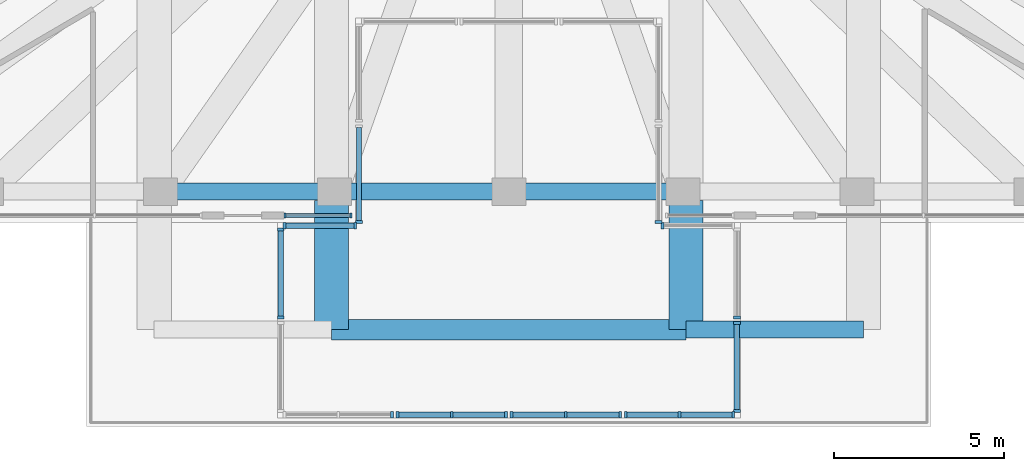
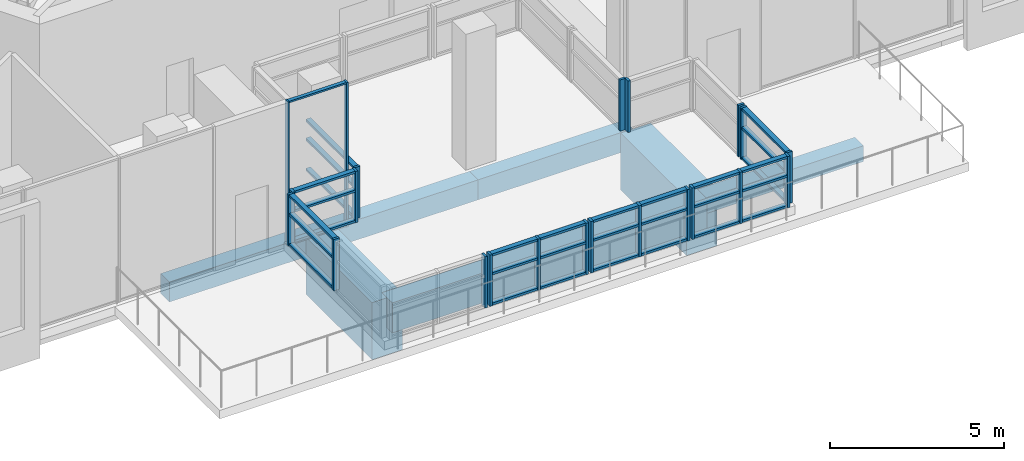
# One storey, part 3 of 17: 54 members, 7 beams, 12 elements without a shape of their own.
"""IFC4 building model written with IfcOpenShell, lengths in metres."""

from ifc_helpers import new_model, si_unit, direction, frame, origin, origin_2d, place, context, subcontext, project, spatial, rectangle, extrude, material, layer, layer_set, material_profile, profile_set, type_object, element, aggregate, save


model = new_model("IFC4")

# Units and contexts
model_context = context("Model", 3, precision=1e-05, world=origin(), true_north=direction((0.0, 1.0)))
body_context = subcontext(model_context, "Body", "Model", "MODEL_VIEW")
ifc_project = project(units=[si_unit("LENGTHUNIT", "METRE"), si_unit("AREAUNIT", "SQUARE_METRE"), si_unit("VOLUMEUNIT", "CUBIC_METRE"), si_unit("PLANEANGLEUNIT", "RADIAN"), si_unit("MASSUNIT", "GRAM", prefix="KILO")], contexts=[model_context])

# Site, building, storey
site_placement = place(None, origin())
site = spatial("IfcSite", under=ifc_project, at=site_placement, CompositionType="ELEMENT")
building_placement = place(site_placement, origin())
building = spatial("IfcBuilding", under=site, at=building_placement, Name="Triada Interchange Tower", CompositionType="ELEMENT")
storey_placement = place(building_placement, frame((0.0, 0.0, 322.300048828125)))
storey = spatial("IfcBuildingStorey", under=building, at=storey_placement, Name="L77", CompositionType="ELEMENT", Elevation=322.300048828125)

# Curtain wall, members
ifc_material_1 = material(Name="Aluminium framed glazing", Category="aluminium")
ifc_layer_1 = layer(ifc_material_1, 0.199951171875)
ifc_layer_set_1 = layer_set([ifc_layer_1], Name="Curtain wall Sky lobby glazing")
curtain_wall_type_1 = type_object("IfcCurtainWallType", Name="Curtain wall Sky lobby glazing", PredefinedType="NOTDEFINED", material=ifc_layer_set_1)
curtain_wall_1_placement = place(storey_placement, origin())
curtain_wall_1 = element("IfcCurtainWall", 1, at=curtain_wall_1_placement, inside=storey, type_object=curtain_wall_type_1, Name="Sky lobby glazing CW311 L77", PredefinedType="NOTDEFINED")
ifc_material_2 = material(Name="Aluminium", Category="aluminium")
ifc_material_profile_1 = material_profile(ifc_material_2, rectangle(XDim=0.159912109375, YDim=0.06005859375, at=origin_2d()), Name="Aluminium mullion")
ifc_profile_set_1 = profile_set([ifc_material_profile_1], Name="Aluminium")
member_type_1 = type_object("IfcMemberType", Name="Mullion Sky lobby glazing 160x60", PredefinedType="MULLION", material=ifc_profile_set_1)
member_1_placement = place(storey_placement, frame((-6.580078125, -15.300048828125, 0.0), z_axis=(0.0, 0.0, 1.0), x_axis=(0.0, 1.0, 0.0)))
member_1 = element("IfcMember", 2, at=member_1_placement, type_object=member_type_1, Name="CW311 mullion 1", PredefinedType="MULLION", context=body_context, shape_type="SweptSolid", body=[
    extrude(rectangle(XDim=0.159912109375, YDim=0.06005859375, at=origin_2d()), origin(), (0.0, 0.0, 1.0), 5.050048828125),
])
member_2_placement = place(storey_placement, frame((-4.6298828125, -15.300048828125, 0.0), z_axis=(0.0, 0.0, 1.0), x_axis=(0.0, 1.0, 0.0)))
member_2 = element("IfcMember", 3, at=member_2_placement, type_object=member_type_1, Name="CW311 mullion 2", PredefinedType="MULLION", context=body_context, shape_type="SweptSolid", body=[
    extrude(rectangle(XDim=0.159912109375, YDim=0.06005859375, at=origin_2d()), origin(), (0.0, 0.0, 1.0), 5.050048828125),
])

# Curtain wall, member
ifc_layer_2 = layer(ifc_material_1, 0.199951171875)
ifc_layer_set_2 = layer_set([ifc_layer_2], Name="Curtain wall Sky pool enclosure")
curtain_wall_type_2 = type_object("IfcCurtainWallType", Name="Curtain wall Sky pool enclosure", PredefinedType="NOTDEFINED", material=ifc_layer_set_2)
curtain_wall_2_placement = place(storey_placement, origin())
curtain_wall_2 = element("IfcCurtainWall", 4, at=curtain_wall_2_placement, inside=storey, type_object=curtain_wall_type_2, Name="Sky pool enclosure CW901 L77", PredefinedType="NOTDEFINED")
ifc_material_profile_2 = material_profile(ifc_material_2, rectangle(XDim=0.199951171875, YDim=0.080078125, at=origin_2d()), Name="Aluminium mullion")
ifc_profile_set_2 = profile_set([ifc_material_profile_2], Name="Aluminium")
member_type_2 = type_object("IfcMemberType", Name="Mullion Sky pool enclosure 200x80", PredefinedType="MULLION", material=ifc_profile_set_2)
member_3_placement = place(storey_placement, frame((4.39990234375, -15.489990234375, 0.300048828125), z_axis=(0.0, 0.0, 1.0), x_axis=(-1.0, 0.0, 0.0)))
member_3 = element("IfcMember", 5, at=member_3_placement, type_object=member_type_2, Name="CW901 mullion 1", PredefinedType="MULLION", context=body_context, shape_type="SweptSolid", body=[
    extrude(rectangle(XDim=0.199951171875, YDim=0.080078125, at=origin_2d()), origin(), (0.0, 0.0, 1.0), 1.7998046875),
])
aggregate(curtain_wall_2, [member_3])

curtain_wall_3_placement = place(storey_placement, origin())
curtain_wall_3 = element("IfcCurtainWall", 6, at=curtain_wall_3_placement, inside=storey, type_object=curtain_wall_type_2, Name="Sky pool enclosure CW907 L77", PredefinedType="NOTDEFINED")
member_4_placement = place(storey_placement, frame((-4.39990234375, -15.489990234375, 0.300048828125), z_axis=(0.0, 0.0, 1.0), x_axis=(1.0, 0.0, 0.0)))
member_4 = element("IfcMember", 7, at=member_4_placement, type_object=member_type_2, Name="CW907 mullion 2", PredefinedType="MULLION", context=body_context, shape_type="SweptSolid", body=[
    extrude(rectangle(XDim=0.199951171875, YDim=0.080078125, at=origin_2d()), origin(), (0.0, 0.0, 1.0), 1.7998046875),
])

# Curtain wall, members
curtain_wall_4_placement = place(storey_placement, origin())
curtain_wall_4 = element("IfcCurtainWall", 8, at=curtain_wall_4_placement, inside=storey, type_object=curtain_wall_type_2, Name="Sky pool enclosure CW908 L77", PredefinedType="NOTDEFINED")
member_5_placement = place(storey_placement, frame((-4.510009765625, -15.60009765625, 0.300048828125), z_axis=(0.0, 0.0, 1.0), x_axis=(0.0, -1.0, 0.0)))
member_5 = element("IfcMember", 9, at=member_5_placement, type_object=member_type_2, Name="CW908 mullion 1", PredefinedType="MULLION", context=body_context, shape_type="SweptSolid", body=[
    extrude(rectangle(XDim=0.199951171875, YDim=0.080078125, at=origin_2d()), origin(), (0.0, 0.0, 1.0), 1.7998046875),
])
member_6_placement = place(storey_placement, frame((-6.590087890625, -15.60009765625, 0.300048828125), z_axis=(0.0, 0.0, 1.0), x_axis=(0.0, -1.0, 0.0)))
member_6 = element("IfcMember", 10, at=member_6_placement, type_object=member_type_2, Name="CW908 mullion 2", PredefinedType="MULLION", context=body_context, shape_type="SweptSolid", body=[
    extrude(rectangle(XDim=0.199951171875, YDim=0.080078125, at=origin_2d()), origin(), (0.0, 0.0, 1.0), 1.7998046875),
])

curtain_wall_5_placement = place(storey_placement, origin())
curtain_wall_5 = element("IfcCurtainWall", 11, at=curtain_wall_5_placement, inside=storey, type_object=curtain_wall_type_2, Name="Sky pool enclosure CW909 L77", PredefinedType="NOTDEFINED")
member_7_placement = place(storey_placement, frame((-6.699951171875, -15.7099609375, 0.300048828125), z_axis=(0.0, 0.0, 1.0), x_axis=(1.0, 0.0, 0.0)))
member_7 = element("IfcMember", 12, at=member_7_placement, type_object=member_type_2, Name="CW909 mullion 1", PredefinedType="MULLION", context=body_context, shape_type="SweptSolid", body=[
    extrude(rectangle(XDim=0.199951171875, YDim=0.080078125, at=origin_2d()), origin(), (0.0, 0.0, 1.0), 1.7998046875),
])
member_8_placement = place(storey_placement, frame((-6.699951171875, -18.294921875, 0.300048828125), z_axis=(0.0, 0.0, 1.0), x_axis=(1.0, 0.0, 0.0)))
member_8 = element("IfcMember", 13, at=member_8_placement, type_object=member_type_2, Name="CW909 mullion 2", PredefinedType="MULLION", context=body_context, shape_type="SweptSolid", body=[
    extrude(rectangle(XDim=0.199951171875, YDim=0.080078125, at=origin_2d()), origin(), (0.0, 0.0, 1.0), 1.7998046875),
])

# Curtain wall, member
curtain_wall_6_placement = place(storey_placement, origin())
curtain_wall_6 = element("IfcCurtainWall", 14, at=curtain_wall_6_placement, inside=storey, type_object=curtain_wall_type_2, Name="Sky pool enclosure CW911 L77", PredefinedType="NOTDEFINED")
member_9_placement = place(storey_placement, frame((-3.429931640625, -21.14990234375, 0.300048828125), z_axis=(0.0, 0.0, 1.0), x_axis=(0.0, 1.0, 0.0)))
member_9 = element("IfcMember", 15, at=member_9_placement, type_object=member_type_2, Name="CW911 mullion 3", PredefinedType="MULLION", context=body_context, shape_type="SweptSolid", body=[
    extrude(rectangle(XDim=0.199951171875, YDim=0.080078125, at=origin_2d()), origin(), (0.0, 0.0, 1.0), 1.7998046875),
])
aggregate(curtain_wall_6, [member_9])

# Curtain wall, members
curtain_wall_7_placement = place(storey_placement, origin())
curtain_wall_7 = element("IfcCurtainWall", 16, at=curtain_wall_7_placement, inside=storey, type_object=curtain_wall_type_2, Name="Sky pool enclosure CW912 L77", PredefinedType="NOTDEFINED")
member_10_placement = place(storey_placement, frame((-3.27001953125, -21.14990234375, 0.300048828125), z_axis=(0.0, 0.0, 1.0), x_axis=(0.0, 1.0, 0.0)))
member_10 = element("IfcMember", 17, at=member_10_placement, type_object=member_type_2, Name="CW912 mullion 1", PredefinedType="MULLION", context=body_context, shape_type="SweptSolid", body=[
    extrude(rectangle(XDim=0.199951171875, YDim=0.080078125, at=origin_2d()), origin(), (0.0, 0.0, 1.0), 1.7998046875),
])
member_11_placement = place(storey_placement, frame((-1.675048828125, -21.14990234375, 0.300048828125), z_axis=(0.0, 0.0, 1.0), x_axis=(0.0, 1.0, 0.0)))
member_11 = element("IfcMember", 18, at=member_11_placement, type_object=member_type_2, Name="CW912 mullion 2", PredefinedType="MULLION", context=body_context, shape_type="SweptSolid", body=[
    extrude(rectangle(XDim=0.199951171875, YDim=0.080078125, at=origin_2d()), origin(), (0.0, 0.0, 1.0), 1.7998046875),
])
member_12_placement = place(storey_placement, frame((-0.080078125, -21.14990234375, 0.300048828125), z_axis=(0.0, 0.0, 1.0), x_axis=(0.0, 1.0, 0.0)))
member_12 = element("IfcMember", 19, at=member_12_placement, type_object=member_type_2, Name="CW912 mullion 3", PredefinedType="MULLION", context=body_context, shape_type="SweptSolid", body=[
    extrude(rectangle(XDim=0.199951171875, YDim=0.080078125, at=origin_2d()), origin(), (0.0, 0.0, 1.0), 1.7998046875),
])

curtain_wall_8_placement = place(storey_placement, origin())
curtain_wall_8 = element("IfcCurtainWall", 20, at=curtain_wall_8_placement, inside=storey, type_object=curtain_wall_type_2, Name="Sky pool enclosure CW913 L77", PredefinedType="NOTDEFINED")
member_13_placement = place(storey_placement, frame((0.080078125, -21.14990234375, 0.300048828125), z_axis=(0.0, 0.0, 1.0), x_axis=(0.0, 1.0, 0.0)))
member_13 = element("IfcMember", 21, at=member_13_placement, type_object=member_type_2, Name="CW913 mullion 1", PredefinedType="MULLION", context=body_context, shape_type="SweptSolid", body=[
    extrude(rectangle(XDim=0.199951171875, YDim=0.080078125, at=origin_2d()), origin(), (0.0, 0.0, 1.0), 1.7998046875),
])
member_14_placement = place(storey_placement, frame((1.675048828125, -21.14990234375, 0.300048828125), z_axis=(0.0, 0.0, 1.0), x_axis=(0.0, 1.0, 0.0)))
member_14 = element("IfcMember", 22, at=member_14_placement, type_object=member_type_2, Name="CW913 mullion 2", PredefinedType="MULLION", context=body_context, shape_type="SweptSolid", body=[
    extrude(rectangle(XDim=0.199951171875, YDim=0.080078125, at=origin_2d()), origin(), (0.0, 0.0, 1.0), 1.7998046875),
])
member_15_placement = place(storey_placement, frame((3.27001953125, -21.14990234375, 0.300048828125), z_axis=(0.0, 0.0, 1.0), x_axis=(0.0, 1.0, 0.0)))
member_15 = element("IfcMember", 23, at=member_15_placement, type_object=member_type_2, Name="CW913 mullion 3", PredefinedType="MULLION", context=body_context, shape_type="SweptSolid", body=[
    extrude(rectangle(XDim=0.199951171875, YDim=0.080078125, at=origin_2d()), origin(), (0.0, 0.0, 1.0), 1.7998046875),
])

curtain_wall_9_placement = place(storey_placement, origin())
curtain_wall_9 = element("IfcCurtainWall", 24, at=curtain_wall_9_placement, inside=storey, type_object=curtain_wall_type_2, Name="Sky pool enclosure CW914 L77", PredefinedType="NOTDEFINED")
member_16_placement = place(storey_placement, frame((3.429931640625, -21.14990234375, 0.300048828125), z_axis=(0.0, 0.0, 1.0), x_axis=(0.0, 1.0, 0.0)))
member_16 = element("IfcMember", 25, at=member_16_placement, type_object=member_type_2, Name="CW914 mullion 1", PredefinedType="MULLION", context=body_context, shape_type="SweptSolid", body=[
    extrude(rectangle(XDim=0.199951171875, YDim=0.080078125, at=origin_2d()), origin(), (0.0, 0.0, 1.0), 1.7998046875),
])
member_17_placement = place(storey_placement, frame((5.010009765625, -21.14990234375, 0.300048828125), z_axis=(0.0, 0.0, 1.0), x_axis=(0.0, 1.0, 0.0)))
member_17 = element("IfcMember", 26, at=member_17_placement, type_object=member_type_2, Name="CW914 mullion 2", PredefinedType="MULLION", context=body_context, shape_type="SweptSolid", body=[
    extrude(rectangle(XDim=0.199951171875, YDim=0.080078125, at=origin_2d()), origin(), (0.0, 0.0, 1.0), 1.7998046875),
])
member_18_placement = place(storey_placement, frame((6.590087890625, -21.14990234375, 0.300048828125), z_axis=(0.0, 0.0, 1.0), x_axis=(0.0, 1.0, 0.0)))
member_18 = element("IfcMember", 27, at=member_18_placement, type_object=member_type_2, Name="CW914 mullion 3", PredefinedType="MULLION", context=body_context, shape_type="SweptSolid", body=[
    extrude(rectangle(XDim=0.199951171875, YDim=0.080078125, at=origin_2d()), origin(), (0.0, 0.0, 1.0), 1.7998046875),
])

curtain_wall_10_placement = place(storey_placement, origin())
curtain_wall_10 = element("IfcCurtainWall", 28, at=curtain_wall_10_placement, inside=storey, type_object=curtain_wall_type_2, Name="Sky pool enclosure CW915 L77", PredefinedType="NOTDEFINED")
member_19_placement = place(storey_placement, frame((6.699951171875, -21.0400390625, 0.300048828125), z_axis=(0.0, 0.0, 1.0), x_axis=(-1.0, 0.0, 0.0)))
member_19 = element("IfcMember", 29, at=member_19_placement, type_object=member_type_2, Name="CW915 mullion 1", PredefinedType="MULLION", context=body_context, shape_type="SweptSolid", body=[
    extrude(rectangle(XDim=0.199951171875, YDim=0.080078125, at=origin_2d()), origin(), (0.0, 0.0, 1.0), 1.7998046875),
])
member_20_placement = place(storey_placement, frame((6.699951171875, -18.455078125, 0.300048828125), z_axis=(0.0, 0.0, 1.0), x_axis=(-1.0, 0.0, 0.0)))
member_20 = element("IfcMember", 30, at=member_20_placement, type_object=member_type_2, Name="CW915 mullion 2", PredefinedType="MULLION", context=body_context, shape_type="SweptSolid", body=[
    extrude(rectangle(XDim=0.199951171875, YDim=0.080078125, at=origin_2d()), origin(), (0.0, 0.0, 1.0), 1.7998046875),
])

# Curtain wall, member
curtain_wall_11_placement = place(storey_placement, origin())
curtain_wall_11 = element("IfcCurtainWall", 31, at=curtain_wall_11_placement, inside=storey, type_object=curtain_wall_type_2, Name="Sky pool enclosure CW916 L77", PredefinedType="NOTDEFINED")
member_21_placement = place(storey_placement, frame((6.699951171875, -18.294921875, 0.300048828125), z_axis=(0.0, 0.0, 1.0), x_axis=(-1.0, 0.0, 0.0)))
member_21 = element("IfcMember", 32, at=member_21_placement, type_object=member_type_2, Name="CW916 mullion 1", PredefinedType="MULLION", context=body_context, shape_type="SweptSolid", body=[
    extrude(rectangle(XDim=0.199951171875, YDim=0.080078125, at=origin_2d()), origin(), (0.0, 0.0, 1.0), 1.7998046875),
])
aggregate(curtain_wall_11, [member_21])

curtain_wall_12_placement = place(storey_placement, origin())
curtain_wall_12 = element("IfcCurtainWall", 33, at=curtain_wall_12_placement, inside=storey, type_object=curtain_wall_type_2, Name="Sky pool enclosure CW917 L77", PredefinedType="NOTDEFINED")
member_22_placement = place(storey_placement, frame((4.510009765625, -15.60009765625, 0.300048828125), z_axis=(0.0, 0.0, 1.0), x_axis=(0.0, -1.0, 0.0)))
member_22 = element("IfcMember", 34, at=member_22_placement, type_object=member_type_2, Name="CW917 mullion 2", PredefinedType="MULLION", context=body_context, shape_type="SweptSolid", body=[
    extrude(rectangle(XDim=0.199951171875, YDim=0.080078125, at=origin_2d()), origin(), (0.0, 0.0, 1.0), 1.7998046875),
])
aggregate(curtain_wall_12, [member_22])

# Beams
ifc_material_3 = material(Name="Concrete C50/60", Category="concrete")
ifc_material_profile_3 = material_profile(ifc_material_3, rectangle(XDim=1.0, YDim=2.0, at=origin_2d()), Name="RC 1000x2000")
ifc_profile_set_3 = profile_set([ifc_material_profile_3], Name="Concrete C50/60")
beam_type_1 = type_object("IfcBeamType", Name="Pool cantilever girder RC 1000x2000", PredefinedType="BEAM", material=ifc_profile_set_3)
for number, where, z_axis, x_axis, name in (
    (35, (-5.20703125, -14.863037109375, -1.300048828125), (0.0, -1.0, 0.0), (1.0, 0.0, 0.0), "Pool girder 2 cantilever"),
    (36, (5.20703125, -14.863037109375, -1.300048828125), (0.0, -1.0, 0.0), (1.0, 0.0, 0.0), "Pool girder 3 cantilever"),
):
    element("IfcBeam", number, at=place(storey_placement, frame(where, z_axis=z_axis, x_axis=x_axis)), inside=storey, type_object=beam_type_1, Name=name, PredefinedType="BEAM", context=body_context, shape_type="SweptSolid", body=[
        extrude(rectangle(XDim=1.0, YDim=2.0, at=origin_2d()), origin(), (0.0, 0.0, 1.0), 3.786865234375),
    ])
ifc_material_profile_4 = material_profile(ifc_material_3, rectangle(XDim=0.5, YDim=0.550048828125, at=origin_2d()), Name="RC 500x550")
ifc_profile_set_4 = profile_set([ifc_material_profile_4], Name="Concrete C50/60")
beam_type_2 = type_object("IfcBeamType", Name="Pool tip beam RC 500x550", PredefinedType="BEAM", material=ifc_profile_set_4)
beam_1_placement = place(storey_placement, frame((5.20703125, -18.64990234375, -0.574951171875), z_axis=(1.0, 0.0, 0.0), x_axis=(0.0, 1.0, 0.0)))
element("IfcBeam", 37, at=beam_1_placement, inside=storey, type_object=beam_type_2, Name="Pool tip beam 3", PredefinedType="BEAM", context=body_context, shape_type="SweptSolid", body=[
    extrude(rectangle(XDim=0.5, YDim=0.550048828125, at=origin_2d()), origin(), (0.0, 0.0, 1.0), 5.20703125),
])
ifc_material_profile_5 = material_profile(ifc_material_3, rectangle(XDim=0.60009765625, YDim=1.050048828125, at=origin_2d()), Name="RC 600x1050")
ifc_profile_set_5 = profile_set([ifc_material_profile_5], Name="Concrete C50/60")
beam_type_3 = type_object("IfcBeamType", Name="Pool tip beam RC 600x1050", PredefinedType="BEAM", material=ifc_profile_set_5)
beam_2_placement = place(storey_placement, frame((-5.20703125, -18.64990234375, -0.824951171875), z_axis=(1.0, 0.0, 0.0), x_axis=(0.0, 1.0, 0.0)))
element("IfcBeam", 38, at=beam_2_placement, inside=storey, type_object=beam_type_3, Name="Pool tip beam 2", PredefinedType="BEAM", context=body_context, shape_type="SweptSolid", body=[
    extrude(rectangle(XDim=0.60009765625, YDim=1.050048828125, at=origin_2d()), origin(), (0.0, 0.0, 1.0), 10.4140625),
])
ifc_material_profile_6 = material_profile(ifc_material_3, rectangle(XDim=0.5, YDim=0.699951171875, at=origin_2d()), Name="RC 500x700")
ifc_profile_set_6 = profile_set([ifc_material_profile_6], Name="Concrete C50/60")
beam_type_4 = type_object("IfcBeamType", Name="Spandrel beam D RC 500x700", PredefinedType="BEAM", material=ifc_profile_set_6)
for number, where, z_axis, x_axis, name in (
    (39, (-10.22802734375, -14.60009765625, -0.650146484375), (1.0, 0.0, 0.0), (0.0, 1.0, 0.0), "Spandrel beam ED13 L77"),
    (40, (-5.114013671875, -14.60009765625, -0.650146484375), (1.0, 0.0, 0.0), (0.0, 1.0, 0.0), "Spandrel beam ED14 L77"),
    (41, (0.0, -14.60009765625, -0.650146484375), (1.0, 0.0, 0.0), (0.0, 1.0, 0.0), "Spandrel beam ED15 L77"),
):
    element("IfcBeam", number, at=place(storey_placement, frame(where, z_axis=z_axis, x_axis=x_axis)), inside=storey, type_object=beam_type_4, Name=name, PredefinedType="BEAM", context=body_context, shape_type="SweptSolid", body=[
        extrude(rectangle(XDim=0.5, YDim=0.699951171875, at=origin_2d()), origin(), (0.0, 0.0, 1.0), 5.114013671875),
    ])

# Member
ifc_material_profile_7 = material_profile(ifc_material_2, rectangle(XDim=0.1201171875, YDim=0.06005859375, at=origin_2d()), Name="Aluminium transom")
ifc_profile_set_7 = profile_set([ifc_material_profile_7], Name="Aluminium")
member_type_3 = type_object("IfcMemberType", Name="Transom Sky lobby glazing 120x60", PredefinedType="USERDEFINED", material=ifc_profile_set_7)
member_23_placement = place(storey_placement, frame((-6.550048828125, -15.300048828125, 0.030029296875), z_axis=(1.0, 0.0, 0.0), x_axis=(0.0, 1.0, 0.0)))
member_23 = element("IfcMember", 42, at=member_23_placement, type_object=member_type_3, Name="CW311 transom 1.1", ObjectType="TRANSOM", PredefinedType="USERDEFINED", context=body_context, shape_type="SweptSolid", body=[
    extrude(rectangle(XDim=0.1201171875, YDim=0.06005859375, at=origin_2d()), origin(), (0.0, 0.0, 1.0), 1.89013671875),
])

member_24_placement = place(storey_placement, frame((-6.550048828125, -15.300048828125, 5.02001953125), z_axis=(1.0, 0.0, 0.0), x_axis=(0.0, 1.0, 0.0)))
member_24 = element("IfcMember", 43, at=member_24_placement, type_object=member_type_3, Name="CW311 transom 1.2", ObjectType="TRANSOM", PredefinedType="USERDEFINED", context=body_context, shape_type="SweptSolid", body=[
    extrude(rectangle(XDim=0.1201171875, YDim=0.06005859375, at=origin_2d()), origin(), (0.0, 0.0, 1.0), 1.89013671875),
])

aggregate(curtain_wall_1, [member_1, member_2, member_23, member_24])

ifc_material_profile_8 = material_profile(ifc_material_2, rectangle(XDim=0.159912109375, YDim=0.080078125, at=origin_2d()), Name="Aluminium transom")
ifc_profile_set_8 = profile_set([ifc_material_profile_8], Name="Aluminium")
member_type_4 = type_object("IfcMemberType", Name="Transom Sky pool enclosure 160x80", PredefinedType="USERDEFINED", material=ifc_profile_set_8)
member_25_placement = place(storey_placement, frame((-4.39990234375, -12.719970703125, 0.33984375), z_axis=(0.0, -1.0, 0.0), x_axis=(1.0, 0.0, 0.0)))
member_25 = element("IfcMember", 44, at=member_25_placement, type_object=member_type_4, Name="CW907 transom 1.1", ObjectType="TRANSOM", PredefinedType="USERDEFINED", context=body_context, shape_type="SweptSolid", body=[
    extrude(rectangle(XDim=0.159912109375, YDim=0.080078125, at=origin_2d()), origin(), (0.0, 0.0, 1.0), 2.72998046875),
])

member_26_placement = place(storey_placement, frame((-4.39990234375, -12.719970703125, 1.39990234375), z_axis=(0.0, -1.0, 0.0), x_axis=(1.0, 0.0, 0.0)))
member_26 = element("IfcMember", 45, at=member_26_placement, type_object=member_type_4, Name="CW907 transom 1.2", ObjectType="TRANSOM", PredefinedType="USERDEFINED", context=body_context, shape_type="SweptSolid", body=[
    extrude(rectangle(XDim=0.159912109375, YDim=0.080078125, at=origin_2d()), origin(), (0.0, 0.0, 1.0), 2.72998046875),
])

member_27_placement = place(storey_placement, frame((-4.39990234375, -12.719970703125, 2.06005859375), z_axis=(0.0, -1.0, 0.0), x_axis=(1.0, 0.0, 0.0)))
member_27 = element("IfcMember", 46, at=member_27_placement, type_object=member_type_4, Name="CW907 transom 1.3", ObjectType="TRANSOM", PredefinedType="USERDEFINED", context=body_context, shape_type="SweptSolid", body=[
    extrude(rectangle(XDim=0.159912109375, YDim=0.080078125, at=origin_2d()), origin(), (0.0, 0.0, 1.0), 2.72998046875),
])

aggregate(curtain_wall_3, [member_4, member_25, member_26, member_27])

member_28_placement = place(storey_placement, frame((-4.550048828125, -15.60009765625, 0.33984375), z_axis=(-1.0, 0.0, 0.0), x_axis=(0.0, -1.0, 0.0)))
member_28 = element("IfcMember", 47, at=member_28_placement, type_object=member_type_4, Name="CW908 transom 1.1", ObjectType="TRANSOM", PredefinedType="USERDEFINED", context=body_context, shape_type="SweptSolid", body=[
    extrude(rectangle(XDim=0.159912109375, YDim=0.080078125, at=origin_2d()), origin(), (0.0, 0.0, 1.0), 2.0),
])

member_29_placement = place(storey_placement, frame((-4.550048828125, -15.60009765625, 1.39990234375), z_axis=(-1.0, 0.0, 0.0), x_axis=(0.0, -1.0, 0.0)))
member_29 = element("IfcMember", 48, at=member_29_placement, type_object=member_type_4, Name="CW908 transom 1.2", ObjectType="TRANSOM", PredefinedType="USERDEFINED", context=body_context, shape_type="SweptSolid", body=[
    extrude(rectangle(XDim=0.159912109375, YDim=0.080078125, at=origin_2d()), origin(), (0.0, 0.0, 1.0), 2.0),
])

member_30_placement = place(storey_placement, frame((-4.550048828125, -15.60009765625, 2.06005859375), z_axis=(-1.0, 0.0, 0.0), x_axis=(0.0, -1.0, 0.0)))
member_30 = element("IfcMember", 49, at=member_30_placement, type_object=member_type_4, Name="CW908 transom 1.3", ObjectType="TRANSOM", PredefinedType="USERDEFINED", context=body_context, shape_type="SweptSolid", body=[
    extrude(rectangle(XDim=0.159912109375, YDim=0.080078125, at=origin_2d()), origin(), (0.0, 0.0, 1.0), 2.0),
])

aggregate(curtain_wall_4, [member_5, member_6, member_28, member_29, member_30])

member_31_placement = place(storey_placement, frame((-6.699951171875, -15.75, 0.33984375), z_axis=(0.0, -1.0, 0.0), x_axis=(1.0, 0.0, 0.0)))
member_31 = element("IfcMember", 50, at=member_31_placement, type_object=member_type_4, Name="CW909 transom 1.1", ObjectType="TRANSOM", PredefinedType="USERDEFINED", context=body_context, shape_type="SweptSolid", body=[
    extrude(rectangle(XDim=0.159912109375, YDim=0.080078125, at=origin_2d()), origin(), (0.0, 0.0, 1.0), 2.5048828125),
])

member_32_placement = place(storey_placement, frame((-6.699951171875, -15.75, 1.39990234375), z_axis=(0.0, -1.0, 0.0), x_axis=(1.0, 0.0, 0.0)))
member_32 = element("IfcMember", 51, at=member_32_placement, type_object=member_type_4, Name="CW909 transom 1.2", ObjectType="TRANSOM", PredefinedType="USERDEFINED", context=body_context, shape_type="SweptSolid", body=[
    extrude(rectangle(XDim=0.159912109375, YDim=0.080078125, at=origin_2d()), origin(), (0.0, 0.0, 1.0), 2.5048828125),
])

member_33_placement = place(storey_placement, frame((-6.699951171875, -15.75, 2.06005859375), z_axis=(0.0, -1.0, 0.0), x_axis=(1.0, 0.0, 0.0)))
member_33 = element("IfcMember", 52, at=member_33_placement, type_object=member_type_4, Name="CW909 transom 1.3", ObjectType="TRANSOM", PredefinedType="USERDEFINED", context=body_context, shape_type="SweptSolid", body=[
    extrude(rectangle(XDim=0.159912109375, YDim=0.080078125, at=origin_2d()), origin(), (0.0, 0.0, 1.0), 2.5048828125),
])

aggregate(curtain_wall_5, [member_7, member_8, member_31, member_32, member_33])

member_34_placement = place(storey_placement, frame((-3.22998046875, -21.14990234375, 0.33984375), z_axis=(1.0, 0.0, 0.0), x_axis=(0.0, 1.0, 0.0)))
member_34 = element("IfcMember", 53, at=member_34_placement, type_object=member_type_4, Name="CW912 transom 1.1", ObjectType="TRANSOM", PredefinedType="USERDEFINED", context=body_context, shape_type="SweptSolid", body=[
    extrude(rectangle(XDim=0.159912109375, YDim=0.080078125, at=origin_2d()), origin(), (0.0, 0.0, 1.0), 1.514892578125),
])

member_35_placement = place(storey_placement, frame((-3.22998046875, -21.14990234375, 1.39990234375), z_axis=(1.0, 0.0, 0.0), x_axis=(0.0, 1.0, 0.0)))
member_35 = element("IfcMember", 54, at=member_35_placement, type_object=member_type_4, Name="CW912 transom 1.2", ObjectType="TRANSOM", PredefinedType="USERDEFINED", context=body_context, shape_type="SweptSolid", body=[
    extrude(rectangle(XDim=0.159912109375, YDim=0.080078125, at=origin_2d()), origin(), (0.0, 0.0, 1.0), 1.514892578125),
])

member_36_placement = place(storey_placement, frame((-3.22998046875, -21.14990234375, 2.06005859375), z_axis=(1.0, 0.0, 0.0), x_axis=(0.0, 1.0, 0.0)))
member_36 = element("IfcMember", 55, at=member_36_placement, type_object=member_type_4, Name="CW912 transom 1.3", ObjectType="TRANSOM", PredefinedType="USERDEFINED", context=body_context, shape_type="SweptSolid", body=[
    extrude(rectangle(XDim=0.159912109375, YDim=0.080078125, at=origin_2d()), origin(), (0.0, 0.0, 1.0), 1.514892578125),
])

member_37_placement = place(storey_placement, frame((-1.635009765625, -21.14990234375, 0.33984375), z_axis=(1.0, 0.0, 0.0), x_axis=(0.0, 1.0, 0.0)))
member_37 = element("IfcMember", 56, at=member_37_placement, type_object=member_type_4, Name="CW912 transom 2.1", ObjectType="TRANSOM", PredefinedType="USERDEFINED", context=body_context, shape_type="SweptSolid", body=[
    extrude(rectangle(XDim=0.159912109375, YDim=0.080078125, at=origin_2d()), origin(), (0.0, 0.0, 1.0), 1.514892578125),
])

member_38_placement = place(storey_placement, frame((-1.635009765625, -21.14990234375, 1.39990234375), z_axis=(1.0, 0.0, 0.0), x_axis=(0.0, 1.0, 0.0)))
member_38 = element("IfcMember", 57, at=member_38_placement, type_object=member_type_4, Name="CW912 transom 2.2", ObjectType="TRANSOM", PredefinedType="USERDEFINED", context=body_context, shape_type="SweptSolid", body=[
    extrude(rectangle(XDim=0.159912109375, YDim=0.080078125, at=origin_2d()), origin(), (0.0, 0.0, 1.0), 1.514892578125),
])

member_39_placement = place(storey_placement, frame((-1.635009765625, -21.14990234375, 2.06005859375), z_axis=(1.0, 0.0, 0.0), x_axis=(0.0, 1.0, 0.0)))
member_39 = element("IfcMember", 58, at=member_39_placement, type_object=member_type_4, Name="CW912 transom 2.3", ObjectType="TRANSOM", PredefinedType="USERDEFINED", context=body_context, shape_type="SweptSolid", body=[
    extrude(rectangle(XDim=0.159912109375, YDim=0.080078125, at=origin_2d()), origin(), (0.0, 0.0, 1.0), 1.514892578125),
])

aggregate(curtain_wall_7, [member_10, member_11, member_12, member_34, member_35, member_36, member_37, member_38, member_39])

member_40_placement = place(storey_placement, frame((0.1201171875, -21.14990234375, 0.33984375), z_axis=(1.0, 0.0, 0.0), x_axis=(0.0, 1.0, 0.0)))
member_40 = element("IfcMember", 59, at=member_40_placement, type_object=member_type_4, Name="CW913 transom 1.1", ObjectType="TRANSOM", PredefinedType="USERDEFINED", context=body_context, shape_type="SweptSolid", body=[
    extrude(rectangle(XDim=0.159912109375, YDim=0.080078125, at=origin_2d()), origin(), (0.0, 0.0, 1.0), 1.514892578125),
])

member_41_placement = place(storey_placement, frame((0.1201171875, -21.14990234375, 1.39990234375), z_axis=(1.0, 0.0, 0.0), x_axis=(0.0, 1.0, 0.0)))
member_41 = element("IfcMember", 60, at=member_41_placement, type_object=member_type_4, Name="CW913 transom 1.2", ObjectType="TRANSOM", PredefinedType="USERDEFINED", context=body_context, shape_type="SweptSolid", body=[
    extrude(rectangle(XDim=0.159912109375, YDim=0.080078125, at=origin_2d()), origin(), (0.0, 0.0, 1.0), 1.514892578125),
])

member_42_placement = place(storey_placement, frame((0.1201171875, -21.14990234375, 2.06005859375), z_axis=(1.0, 0.0, 0.0), x_axis=(0.0, 1.0, 0.0)))
member_42 = element("IfcMember", 61, at=member_42_placement, type_object=member_type_4, Name="CW913 transom 1.3", ObjectType="TRANSOM", PredefinedType="USERDEFINED", context=body_context, shape_type="SweptSolid", body=[
    extrude(rectangle(XDim=0.159912109375, YDim=0.080078125, at=origin_2d()), origin(), (0.0, 0.0, 1.0), 1.514892578125),
])

member_43_placement = place(storey_placement, frame((1.715087890625, -21.14990234375, 0.33984375), z_axis=(1.0, 0.0, 0.0), x_axis=(0.0, 1.0, 0.0)))
member_43 = element("IfcMember", 62, at=member_43_placement, type_object=member_type_4, Name="CW913 transom 2.1", ObjectType="TRANSOM", PredefinedType="USERDEFINED", context=body_context, shape_type="SweptSolid", body=[
    extrude(rectangle(XDim=0.159912109375, YDim=0.080078125, at=origin_2d()), origin(), (0.0, 0.0, 1.0), 1.514892578125),
])

member_44_placement = place(storey_placement, frame((1.715087890625, -21.14990234375, 1.39990234375), z_axis=(1.0, 0.0, 0.0), x_axis=(0.0, 1.0, 0.0)))
member_44 = element("IfcMember", 63, at=member_44_placement, type_object=member_type_4, Name="CW913 transom 2.2", ObjectType="TRANSOM", PredefinedType="USERDEFINED", context=body_context, shape_type="SweptSolid", body=[
    extrude(rectangle(XDim=0.159912109375, YDim=0.080078125, at=origin_2d()), origin(), (0.0, 0.0, 1.0), 1.514892578125),
])

member_45_placement = place(storey_placement, frame((1.715087890625, -21.14990234375, 2.06005859375), z_axis=(1.0, 0.0, 0.0), x_axis=(0.0, 1.0, 0.0)))
member_45 = element("IfcMember", 64, at=member_45_placement, type_object=member_type_4, Name="CW913 transom 2.3", ObjectType="TRANSOM", PredefinedType="USERDEFINED", context=body_context, shape_type="SweptSolid", body=[
    extrude(rectangle(XDim=0.159912109375, YDim=0.080078125, at=origin_2d()), origin(), (0.0, 0.0, 1.0), 1.514892578125),
])

aggregate(curtain_wall_8, [member_13, member_14, member_15, member_40, member_41, member_42, member_43, member_44, member_45])

member_46_placement = place(storey_placement, frame((3.469970703125, -21.14990234375, 0.33984375), z_axis=(1.0, 0.0, 0.0), x_axis=(0.0, 1.0, 0.0)))
member_46 = element("IfcMember", 65, at=member_46_placement, type_object=member_type_4, Name="CW914 transom 1.1", ObjectType="TRANSOM", PredefinedType="USERDEFINED", context=body_context, shape_type="SweptSolid", body=[
    extrude(rectangle(XDim=0.159912109375, YDim=0.080078125, at=origin_2d()), origin(), (0.0, 0.0, 1.0), 1.5),
])

member_47_placement = place(storey_placement, frame((3.469970703125, -21.14990234375, 1.39990234375), z_axis=(1.0, 0.0, 0.0), x_axis=(0.0, 1.0, 0.0)))
member_47 = element("IfcMember", 66, at=member_47_placement, type_object=member_type_4, Name="CW914 transom 1.2", ObjectType="TRANSOM", PredefinedType="USERDEFINED", context=body_context, shape_type="SweptSolid", body=[
    extrude(rectangle(XDim=0.159912109375, YDim=0.080078125, at=origin_2d()), origin(), (0.0, 0.0, 1.0), 1.5),
])

member_48_placement = place(storey_placement, frame((3.469970703125, -21.14990234375, 2.06005859375), z_axis=(1.0, 0.0, 0.0), x_axis=(0.0, 1.0, 0.0)))
member_48 = element("IfcMember", 67, at=member_48_placement, type_object=member_type_4, Name="CW914 transom 1.3", ObjectType="TRANSOM", PredefinedType="USERDEFINED", context=body_context, shape_type="SweptSolid", body=[
    extrude(rectangle(XDim=0.159912109375, YDim=0.080078125, at=origin_2d()), origin(), (0.0, 0.0, 1.0), 1.5),
])

member_49_placement = place(storey_placement, frame((5.050048828125, -21.14990234375, 0.33984375), z_axis=(1.0, 0.0, 0.0), x_axis=(0.0, 1.0, 0.0)))
member_49 = element("IfcMember", 68, at=member_49_placement, type_object=member_type_4, Name="CW914 transom 2.1", ObjectType="TRANSOM", PredefinedType="USERDEFINED", context=body_context, shape_type="SweptSolid", body=[
    extrude(rectangle(XDim=0.159912109375, YDim=0.080078125, at=origin_2d()), origin(), (0.0, 0.0, 1.0), 1.5),
])

member_50_placement = place(storey_placement, frame((5.050048828125, -21.14990234375, 1.39990234375), z_axis=(1.0, 0.0, 0.0), x_axis=(0.0, 1.0, 0.0)))
member_50 = element("IfcMember", 69, at=member_50_placement, type_object=member_type_4, Name="CW914 transom 2.2", ObjectType="TRANSOM", PredefinedType="USERDEFINED", context=body_context, shape_type="SweptSolid", body=[
    extrude(rectangle(XDim=0.159912109375, YDim=0.080078125, at=origin_2d()), origin(), (0.0, 0.0, 1.0), 1.5),
])

member_51_placement = place(storey_placement, frame((5.050048828125, -21.14990234375, 2.06005859375), z_axis=(1.0, 0.0, 0.0), x_axis=(0.0, 1.0, 0.0)))
member_51 = element("IfcMember", 70, at=member_51_placement, type_object=member_type_4, Name="CW914 transom 2.3", ObjectType="TRANSOM", PredefinedType="USERDEFINED", context=body_context, shape_type="SweptSolid", body=[
    extrude(rectangle(XDim=0.159912109375, YDim=0.080078125, at=origin_2d()), origin(), (0.0, 0.0, 1.0), 1.5),
])

aggregate(curtain_wall_9, [member_16, member_17, member_18, member_46, member_47, member_48, member_49, member_50, member_51])

member_52_placement = place(storey_placement, frame((6.699951171875, -21.0, 0.33984375), z_axis=(0.0, 1.0, 0.0), x_axis=(-1.0, 0.0, 0.0)))
member_52 = element("IfcMember", 71, at=member_52_placement, type_object=member_type_4, Name="CW915 transom 1.1", ObjectType="TRANSOM", PredefinedType="USERDEFINED", context=body_context, shape_type="SweptSolid", body=[
    extrude(rectangle(XDim=0.159912109375, YDim=0.080078125, at=origin_2d()), origin(), (0.0, 0.0, 1.0), 2.5048828125),
])

member_53_placement = place(storey_placement, frame((6.699951171875, -21.0, 1.39990234375), z_axis=(0.0, 1.0, 0.0), x_axis=(-1.0, 0.0, 0.0)))
member_53 = element("IfcMember", 72, at=member_53_placement, type_object=member_type_4, Name="CW915 transom 1.2", ObjectType="TRANSOM", PredefinedType="USERDEFINED", context=body_context, shape_type="SweptSolid", body=[
    extrude(rectangle(XDim=0.159912109375, YDim=0.080078125, at=origin_2d()), origin(), (0.0, 0.0, 1.0), 2.5048828125),
])

member_54_placement = place(storey_placement, frame((6.699951171875, -21.0, 2.06005859375), z_axis=(0.0, 1.0, 0.0), x_axis=(-1.0, 0.0, 0.0)))
member_54 = element("IfcMember", 73, at=member_54_placement, type_object=member_type_4, Name="CW915 transom 1.3", ObjectType="TRANSOM", PredefinedType="USERDEFINED", context=body_context, shape_type="SweptSolid", body=[
    extrude(rectangle(XDim=0.159912109375, YDim=0.080078125, at=origin_2d()), origin(), (0.0, 0.0, 1.0), 2.5048828125),
])

aggregate(curtain_wall_10, [member_19, member_20, member_52, member_53, member_54])

save(model, "model.ifc")
